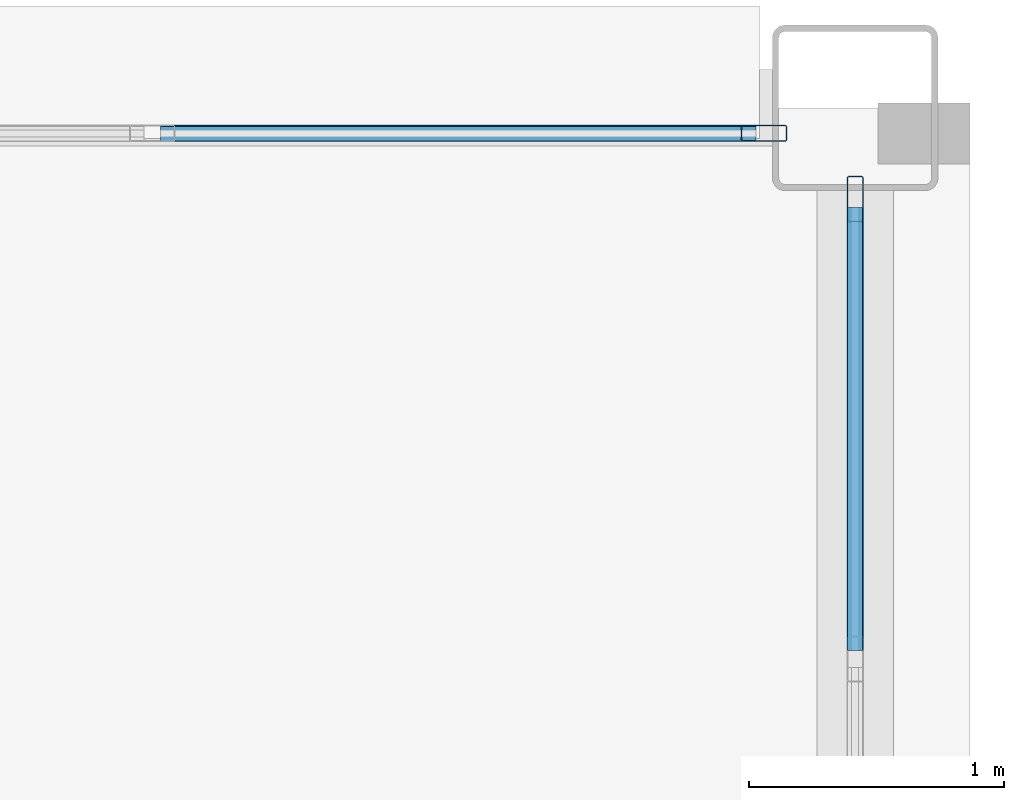
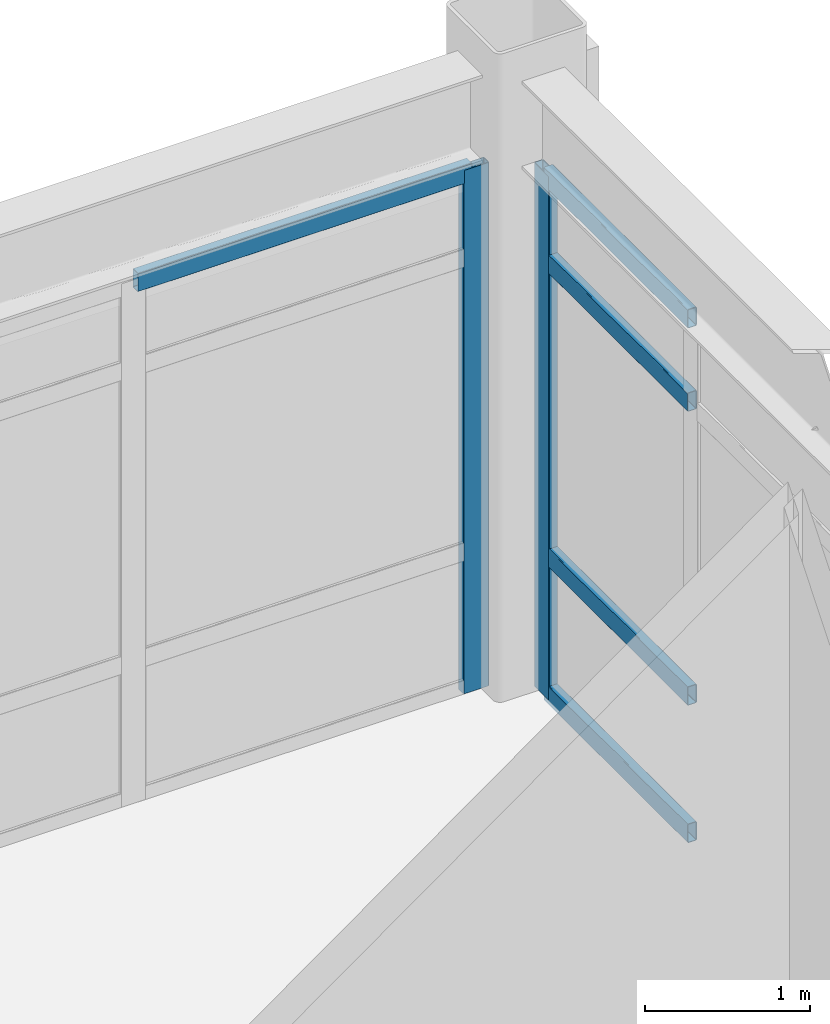
# One storey, part 62 of 172: 7 members, 2 elements without a shape of their own.
"""IFC4 building model written with IfcOpenShell, lengths in metres."""

from ifc_helpers import new_model, si_unit, direction, frame, origin, origin_2d, place, context, subcontext, project, spatial, hollow_rectangle, extrude, material, layer, layer_set, material_profile, profile_set, type_object, element, aggregate, save


model = new_model("IFC4")

# Units and contexts
model_context = context("Model", 3, precision=1e-05, world=origin(), true_north=direction((0.0, 1.0)))
body_context = subcontext(model_context, "Body", "Model", "MODEL_VIEW")
ifc_project = project(units=[si_unit("LENGTHUNIT", "METRE"), si_unit("AREAUNIT", "SQUARE_METRE"), si_unit("VOLUMEUNIT", "CUBIC_METRE"), si_unit("PLANEANGLEUNIT", "RADIAN"), si_unit("MASSUNIT", "GRAM", prefix="KILO")], contexts=[model_context])

# Site, building, storey
site_placement = place(None, origin())
site = spatial("IfcSite", under=ifc_project, at=site_placement, CompositionType="ELEMENT")
building_placement = place(site_placement, origin())
building = spatial("IfcBuilding", under=site, at=building_placement, Name="Kazehara Bluff Congress Hotel", CompositionType="ELEMENT")
storey_placement = place(building_placement, frame((0.0, 0.0, 5.39990234375)))
storey = spatial("IfcBuildingStorey", under=building, at=storey_placement, Name="L01", CompositionType="ELEMENT", Elevation=5.39990234375)

# Curtain wall, member
ifc_material_1 = material(Name="Anodised aluminium", Category="aluminium")
ifc_layer_1 = layer(ifc_material_1, 0.159912109375)
ifc_layer_set_1 = layer_set([ifc_layer_1], Name="Anodised aluminium")
curtain_wall_type_1 = type_object("IfcCurtainWallType", Name="TP-CW-56", PredefinedType="NOTDEFINED", material=ifc_layer_set_1)
curtain_wall_1_placement = place(storey_placement, origin())
curtain_wall_1 = element("IfcCurtainWall", 1, at=curtain_wall_1_placement, inside=storey, type_object=curtain_wall_type_1, Name="L01 curtain wall CW-56 CW-V4-L01-X10920-4878", PredefinedType="NOTDEFINED")
ifc_material_2 = material(Name="Anodised aluminium", Category="aluminium")
ifc_material_profile_1 = material_profile(ifc_material_2, hollow_rectangle(XDim=0.06494140625, YDim=0.179931640625, WallThickness=0.00390625, InnerFilletRadius=0.00390625, OuterFilletRadius=0.008056640625, at=origin_2d()))
ifc_profile_set_1 = profile_set([ifc_material_profile_1], Name="Anodised aluminium")
member_type_1 = type_object("IfcMemberType", Name="TP-CWM-02", PredefinedType="MULLION", material=ifc_profile_set_1)
member_1_placement = place(storey_placement, frame((109.199951171875, 56.092529296875, 0.0), z_axis=(0.0, 0.0, 1.0), x_axis=(-1.0, 0.0, 0.0)))
member_1 = element("IfcMember", 2, at=member_1_placement, type_object=member_type_1, Name="CW-56 mullion 5", PredefinedType="MULLION", context=body_context, shape_type="SweptSolid", body=[
    extrude(hollow_rectangle(XDim=0.06494140625, YDim=0.179931640625, WallThickness=0.00390625, InnerFilletRadius=0.00390625, OuterFilletRadius=0.008056640625, at=origin_2d()), origin(), (0.0, 0.0, 1.0), 3.875),
])

ifc_material_3 = material(Name="Anodised aluminium", Category="aluminium")
ifc_layer_2 = layer(ifc_material_3, 0.159912109375)
ifc_layer_set_2 = layer_set([ifc_layer_2], Name="Anodised aluminium")
curtain_wall_type_2 = type_object("IfcCurtainWallType", Name="TP-CW-80", PredefinedType="NOTDEFINED", material=ifc_layer_set_2)
curtain_wall_2_placement = place(storey_placement, origin())
curtain_wall_2 = element("IfcCurtainWall", 3, at=curtain_wall_2_placement, inside=storey, type_object=curtain_wall_type_2, Name="L01 curtain wall CW-80 CW-ENC-V4-L01-10522-5635", PredefinedType="NOTDEFINED")
member_2_placement = place(storey_placement, frame((108.842529296875, 56.35009765625, 0.0), z_axis=(0.0, 0.0, 1.0), x_axis=(0.0, 1.0, 0.0)))
member_2 = element("IfcMember", 4, at=member_2_placement, type_object=member_type_1, Name="CW-80 mullion 4", PredefinedType="MULLION", context=body_context, shape_type="SweptSolid", body=[
    extrude(hollow_rectangle(XDim=0.06494140625, YDim=0.179931640625, WallThickness=0.00390625, InnerFilletRadius=0.00390625, OuterFilletRadius=0.008056640625, at=origin_2d()), origin(), (0.0, 0.0, 1.0), 3.875),
])

# Member
ifc_material_4 = material(Name="Anodised aluminium", Category="aluminium")
ifc_material_profile_2 = material_profile(ifc_material_4, hollow_rectangle(XDim=0.06494140625, YDim=0.139892578125, WallThickness=0.00390625, InnerFilletRadius=0.00390625, OuterFilletRadius=0.008056640625, at=origin_2d()))
ifc_profile_set_2 = profile_set([ifc_material_profile_2], Name="Anodised aluminium")
member_type_2 = type_object("IfcMemberType", Name="TP-CWT-02", PredefinedType="USERDEFINED", material=ifc_profile_set_2)
member_3_placement = place(storey_placement, frame((109.199951171875, 54.320068359375, 0.03271484375), z_axis=(0.0, 1.0, 0.0), x_axis=(-1.0, 0.0, 0.0)))
member_3 = element("IfcMember", 5, at=member_3_placement, type_object=member_type_2, Name="CW-56 transom 4.1", ObjectType="TRANSOM", PredefinedType="USERDEFINED", context=body_context, shape_type="SweptSolid", body=[
    extrude(hollow_rectangle(XDim=0.06494140625, YDim=0.139892578125, WallThickness=0.00390625, InnerFilletRadius=0.00390625, OuterFilletRadius=0.008056640625, at=origin_2d()), origin(), (0.0, 0.0, 1.0), 1.739990234375),
])

member_4_placement = place(storey_placement, frame((109.199951171875, 54.320068359375, 1.050048828125), z_axis=(0.0, 1.0, 0.0), x_axis=(-1.0, 0.0, 0.0)))
member_4 = element("IfcMember", 6, at=member_4_placement, type_object=member_type_2, Name="CW-56 transom 4.2", ObjectType="TRANSOM", PredefinedType="USERDEFINED", context=body_context, shape_type="SweptSolid", body=[
    extrude(hollow_rectangle(XDim=0.06494140625, YDim=0.139892578125, WallThickness=0.00390625, InnerFilletRadius=0.00390625, OuterFilletRadius=0.008056640625, at=origin_2d()), origin(), (0.0, 0.0, 1.0), 1.739990234375),
])

member_5_placement = place(storey_placement, frame((109.199951171875, 54.320068359375, 3.22509765625), z_axis=(0.0, 1.0, 0.0), x_axis=(-1.0, 0.0, 0.0)))
member_5 = element("IfcMember", 7, at=member_5_placement, type_object=member_type_2, Name="CW-56 transom 4.3", ObjectType="TRANSOM", PredefinedType="USERDEFINED", context=body_context, shape_type="SweptSolid", body=[
    extrude(hollow_rectangle(XDim=0.06494140625, YDim=0.139892578125, WallThickness=0.00390625, InnerFilletRadius=0.00390625, OuterFilletRadius=0.008056640625, at=origin_2d()), origin(), (0.0, 0.0, 1.0), 1.739990234375),
])

member_6_placement = place(storey_placement, frame((109.199951171875, 54.320068359375, 3.842529296875), z_axis=(0.0, 1.0, 0.0), x_axis=(-1.0, 0.0, 0.0)))
member_6 = element("IfcMember", 8, at=member_6_placement, type_object=member_type_2, Name="CW-56 transom 4.4", ObjectType="TRANSOM", PredefinedType="USERDEFINED", context=body_context, shape_type="SweptSolid", body=[
    extrude(hollow_rectangle(XDim=0.06494140625, YDim=0.139892578125, WallThickness=0.00390625, InnerFilletRadius=0.00390625, OuterFilletRadius=0.008056640625, at=origin_2d()), origin(), (0.0, 0.0, 1.0), 1.739990234375),
])

aggregate(curtain_wall_1, [member_1, member_3, member_4, member_5, member_6])

member_7_placement = place(storey_placement, frame((106.47412109375, 56.35009765625, 3.842529296875), z_axis=(1.0, 0.0, 0.0), x_axis=(0.0, 1.0, 0.0)))
member_7 = element("IfcMember", 9, at=member_7_placement, type_object=member_type_2, Name="CW-80 transom 3.4", ObjectType="TRANSOM", PredefinedType="USERDEFINED", context=body_context, shape_type="SweptSolid", body=[
    extrude(hollow_rectangle(XDim=0.06494140625, YDim=0.139892578125, WallThickness=0.00390625, InnerFilletRadius=0.00390625, OuterFilletRadius=0.008056640625, at=origin_2d()), origin(), (0.0, 0.0, 1.0), 2.3359375),
])

aggregate(curtain_wall_2, [member_2, member_7])

save(model, "model.ifc")
